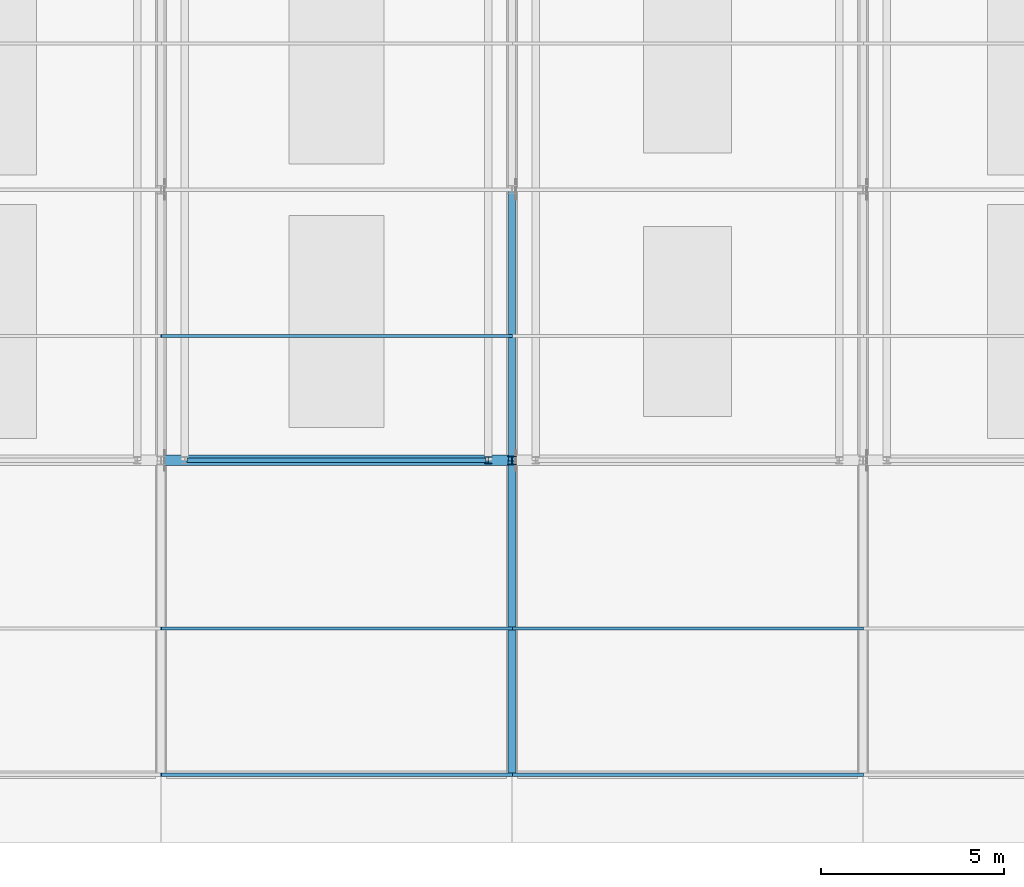
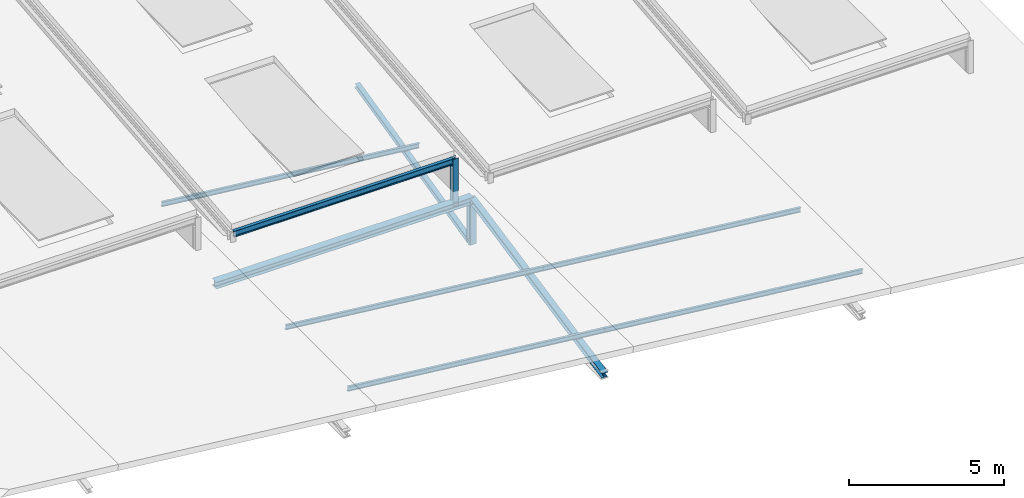
# One storey, part 11 of 30: 9 members, 2 beams.
"""IFC4 building model written with IfcOpenShell, lengths in metres."""

from ifc_helpers import new_model, si_unit, direction, frame, origin, origin_2d, place, context, subcontext, project, spatial, i_section, extrude, material, material_profile, profile_set, type_object, element, save


model = new_model("IFC4")

# Units and contexts
model_context = context("Model", 3, precision=1e-05, world=origin(), true_north=direction((0.0, 1.0)))
body_context = subcontext(model_context, "Body", "Model", "MODEL_VIEW")
ifc_project = project(units=[si_unit("LENGTHUNIT", "METRE"), si_unit("AREAUNIT", "SQUARE_METRE"), si_unit("VOLUMEUNIT", "CUBIC_METRE"), si_unit("PLANEANGLEUNIT", "RADIAN"), si_unit("MASSUNIT", "GRAM", prefix="KILO")], contexts=[model_context])

# Site, building, storey
site_placement = place(None, origin())
site = spatial("IfcSite", under=ifc_project, at=site_placement, CompositionType="ELEMENT")
building_placement = place(site_placement, origin())
building = spatial("IfcBuilding", under=site, at=building_placement, Name="Alderhovde Museum", CompositionType="ELEMENT")
storey_placement = place(building_placement, frame((0.0, 0.0, 30.699951171875)))
storey = spatial("IfcBuildingStorey", under=building, at=storey_placement, Name="RF", CompositionType="ELEMENT", Elevation=30.699951171875)

# Beams
ifc_material_1 = material(Name="Steel S355J2", Category="steel")
ifc_material_profile_1 = material_profile(ifc_material_1, i_section(OverallWidth=0.280029296875, OverallDepth=0.27001953125, WebThickness=0.008056640625, FlangeThickness=0.012939453125, FilletRadius=0.02392578125, at=origin_2d()), Name="HEA 280")
ifc_profile_set_1 = profile_set([ifc_material_profile_1], Name="Steel S355J2")
beam_type_1 = type_object("IfcBeamType", Name="BM-HEA280", PredefinedType="BEAM", material=ifc_profile_set_1)
beam_1_placement = place(storey_placement, frame((48.0, 56.60009765625, -5.92333984375), z_axis=(1.0, 0.0, 0.0), x_axis=(0.0, 1.0, 0.0)))
element("IfcBeam", 1, at=beam_1_placement, inside=storey, type_object=beam_type_1, Name="Sawtooth Monitor Stringer Bay 5-S", PredefinedType="BEAM", context=body_context, shape_type="SweptSolid", body=[
    extrude(i_section(OverallWidth=0.280029296875, OverallDepth=0.27001953125, WebThickness=0.008056640625, FlangeThickness=0.012939453125, FilletRadius=0.02392578125, at=origin_2d()), origin(), (0.0, 0.0, 1.0), 9.60009765625),
])
ifc_material_2 = material(Name="Steel S355J2", Category="steel")
ifc_material_profile_2 = material_profile(ifc_material_2, i_section(OverallWidth=0.1201171875, OverallDepth=0.239990234375, WebThickness=0.006103515625, FlangeThickness=0.009765625, FilletRadius=0.014892578125, at=origin_2d()), Name="IPE 240")
ifc_profile_set_2 = profile_set([ifc_material_profile_2], Name="Steel S355J2")
beam_type_2 = type_object("IfcBeamType", Name="BM-IPE240", PredefinedType="BEAM", material=ifc_profile_set_2)
beam_2_placement = place(storey_placement, frame((48.7099609375, 56.60009765625, -4.195068359375), z_axis=(1.0, 0.0, 0.0), x_axis=(0.0, 1.0, 0.0)))
element("IfcBeam", 2, at=beam_2_placement, inside=storey, type_object=beam_type_2, Name="Sawtooth Monitor Wedge Rafter Bay 5-S", PredefinedType="BEAM", context=body_context, shape_type="SweptSolid", body=[
    extrude(i_section(OverallWidth=0.1201171875, OverallDepth=0.239990234375, WebThickness=0.006103515625, FlangeThickness=0.009765625, FilletRadius=0.014892578125, at=origin_2d()), origin(), (0.0, 0.0, 1.0), 8.179931640625),
])

# Members
ifc_material_3 = material(Name="Steel S355J2", Category="steel")
ifc_material_profile_3 = material_profile(ifc_material_3, i_section(OverallWidth=0.091064453125, OverallDepth=0.179931640625, WebThickness=0.00537109375, FlangeThickness=0.008056640625, FilletRadius=0.009033203125, at=origin_2d()), Name="IPE 180")
ifc_profile_set_3 = profile_set([ifc_material_profile_3], Name="Steel S355J2")
member_type_1 = type_object("IfcMemberType", Name="PRL-IPE180", PredefinedType="PURLIN", material=ifc_profile_set_3)
for number, where, z_axis, x_axis, name in (
    (3, (48.0, 48.0, -4.844970703125), (0.994201715794, 0.0, -0.107531150432), (0.0, 1.0, 0.0), "Folded Wing Roof Purlin Bay 5 Y=48"),
    (4, (48.0, 52.0, -4.844970703125), (0.994201715794, 0.0, -0.107531150432), (0.0, 1.0, 0.0), "Folded Wing Roof Purlin Bay 5 Y=52"),
    (5, (48.0, 60.0, -4.844970703125), (0.994201715794, 0.0, -0.107531150432), (0.0, 1.0, 0.0), "Folded Wing Roof Purlin Bay 5 Y=60"),
):
    element("IfcMember", number, at=place(storey_placement, frame(where, z_axis=z_axis, x_axis=x_axis)), inside=storey, type_object=member_type_1, Name=name, PredefinedType="PURLIN", context=body_context, shape_type="SweptSolid", body=[
        extrude(i_section(OverallWidth=0.091064453125, OverallDepth=0.179931640625, WebThickness=0.00537109375, FlangeThickness=0.008056640625, FilletRadius=0.009033203125, at=origin_2d()), origin(), (0.0, 0.0, 1.0), 9.656005859375),
    ])
for number, where, z_axis, x_axis, name in (
    (6, (57.60009765625, 48.0, -5.88330078125), (0.99420142343, 0.0, -0.107533853509), (0.0, 1.0, 0.0), "Folded Wing Roof Purlin Bay 6 Y=48"),
    (7, (57.60009765625, 52.0, -5.88330078125), (0.99420142343, 0.0, -0.107533853509), (0.0, 1.0, 0.0), "Folded Wing Roof Purlin Bay 6 Y=52"),
):
    element("IfcMember", number, at=place(storey_placement, frame(where, z_axis=z_axis, x_axis=x_axis)), inside=storey, type_object=member_type_1, Name=name, PredefinedType="PURLIN", context=body_context, shape_type="SweptSolid", body=[
        extrude(i_section(OverallWidth=0.091064453125, OverallDepth=0.179931640625, WebThickness=0.00537109375, FlangeThickness=0.008056640625, FilletRadius=0.009033203125, at=origin_2d()), origin(), (0.0, 0.0, 1.0), 9.65576171875),
    ])
ifc_material_4 = material(Name="Steel S355J2", Category="steel")
ifc_material_profile_4 = material_profile(ifc_material_4, i_section(OverallWidth=0.179931640625, OverallDepth=0.1708984375, WebThickness=0.006103515625, FlangeThickness=0.009521484375, FilletRadius=0.014892578125, at=origin_2d()), Name="HEA 180")
ifc_profile_set_4 = profile_set([ifc_material_profile_4], Name="Steel S355J2")
member_type_2 = type_object("IfcMemberType", Name="TR-DG-HEA180", PredefinedType="RAFTER", material=ifc_profile_set_4)
member_1_placement = place(storey_placement, frame((57.60009765625, 56.60009765625, -7.67333984375), z_axis=(0.0, 0.973157163281, 0.230141555473), x_axis=(-1.0, 0.0, 0.0)))
element("IfcMember", 8, at=member_1_placement, inside=storey, type_object=member_type_2, Name="Sawtooth Roof Truss X=57.6 Web Diagonal 2", PredefinedType="RAFTER", context=body_context, shape_type="SweptSolid", body=[
    extrude(i_section(OverallWidth=0.179931640625, OverallDepth=0.1708984375, WebThickness=0.006103515625, FlangeThickness=0.009521484375, FilletRadius=0.014892578125, at=origin_2d()), origin(), (0.0, 0.0, 1.0), 7.60400390625),
])
ifc_material_5 = material(Name="Steel S355J2", Category="steel")
ifc_material_profile_5 = material_profile(ifc_material_5, i_section(OverallWidth=0.219970703125, OverallDepth=0.2099609375, WebThickness=0.007080078125, FlangeThickness=0.010986328125, FilletRadius=0.01806640625, at=origin_2d()), Name="HEA 220")
ifc_profile_set_5 = profile_set([ifc_material_profile_5], Name="Steel S355J2")
member_type_3 = type_object("IfcMemberType", Name="TR-DG-HEA220", PredefinedType="RAFTER", material=ifc_profile_set_5)
member_2_placement = place(storey_placement, frame((57.60009765625, 48.0, -7.67333984375), z_axis=(0.0, 0.97991824063, 0.199399703311), x_axis=(-1.0, 0.0, 0.0)))
element("IfcMember", 9, at=member_2_placement, inside=storey, type_object=member_type_3, Name="Sawtooth Roof Truss X=57.6 Web Diagonal 1", PredefinedType="RAFTER", context=body_context, shape_type="SweptSolid", body=[
    extrude(i_section(OverallWidth=0.219970703125, OverallDepth=0.2099609375, WebThickness=0.007080078125, FlangeThickness=0.010986328125, FilletRadius=0.01806640625, at=origin_2d()), origin(), (0.0, 0.0, 1.0), 8.7763671875),
])
ifc_material_6 = material(Name="Steel S355J2", Category="steel")
ifc_material_profile_6 = material_profile(ifc_material_6, i_section(OverallWidth=0.199951171875, OverallDepth=0.18994140625, WebThickness=0.006591796875, FlangeThickness=0.010009765625, FilletRadius=0.01806640625, at=origin_2d()), Name="HEA 200")
ifc_profile_set_6 = profile_set([ifc_material_profile_6], Name="Steel S355J2")
member_type_4 = type_object("IfcMemberType", Name="TR-PS-HEA200", PredefinedType="POST", material=ifc_profile_set_6)
member_3_placement = place(storey_placement, frame((56.949951171875, 56.60009765625, -5.92333984375), z_axis=(0.0, 0.0, 1.0), x_axis=(1.0, 0.0, 0.0)))
element("IfcMember", 10, at=member_3_placement, inside=storey, type_object=member_type_4, Name="Sawtooth Monitor Post Bay 5-2", PredefinedType="POST", context=body_context, shape_type="SweptSolid", body=[
    extrude(i_section(OverallWidth=0.199951171875, OverallDepth=0.18994140625, WebThickness=0.006591796875, FlangeThickness=0.010009765625, FilletRadius=0.01806640625, at=origin_2d()), origin(), (0.0, 0.0, 1.0), 1.848388671875),
])
ifc_material_7 = material(Name="Steel S355J2", Category="steel")
ifc_material_profile_7 = material_profile(ifc_material_7, i_section(OverallWidth=0.239990234375, OverallDepth=0.22998046875, WebThickness=0.007568359375, FlangeThickness=0.011962890625, FilletRadius=0.02099609375, at=origin_2d()), Name="HEA 240")
ifc_profile_set_7 = profile_set([ifc_material_profile_7], Name="Steel S355J2")
member_type_5 = type_object("IfcMemberType", Name="TR-PS-HEA240", PredefinedType="POST", material=ifc_profile_set_7)
member_4_placement = place(storey_placement, frame((57.60009765625, 56.60009765625, -7.67333984375), z_axis=(0.0, 0.0, 1.0), x_axis=(1.0, 0.0, 0.0)))
element("IfcMember", 11, at=member_4_placement, inside=storey, type_object=member_type_5, Name="Sawtooth Roof Truss X=57.6 Web Post 1", PredefinedType="POST", context=body_context, shape_type="SweptSolid", body=[
    extrude(i_section(OverallWidth=0.239990234375, OverallDepth=0.22998046875, WebThickness=0.007568359375, FlangeThickness=0.011962890625, FilletRadius=0.02099609375, at=origin_2d()), origin(), (0.0, 0.0, 1.0), 1.75),
])

save(model, "model.ifc")
